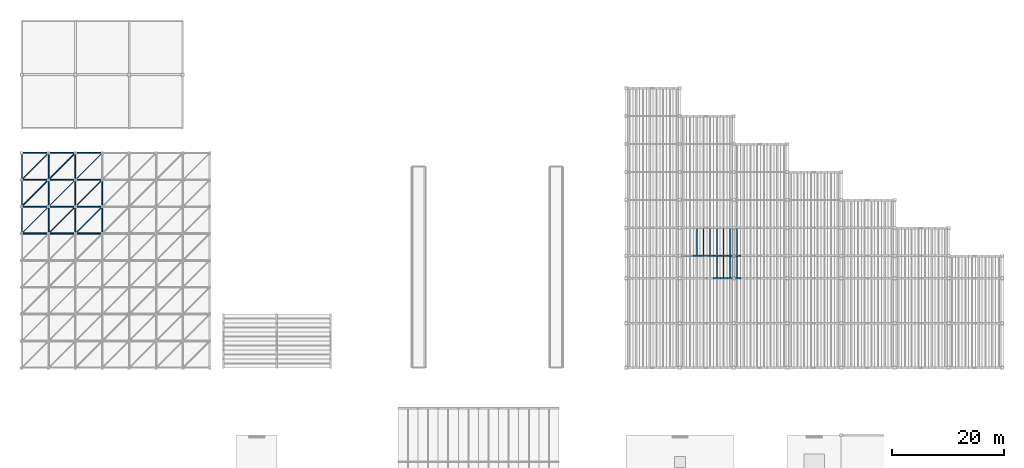
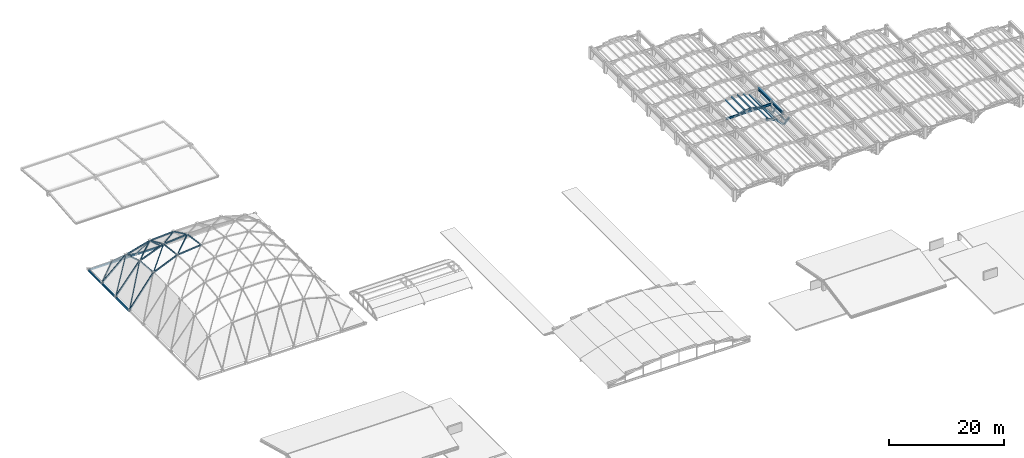
# One storey, part 18 of 70: 48 members, 9 beams.
"""IFC4 building model written with IfcOpenShell, lengths in metres."""

from ifc_helpers import new_model, si_unit, direction, frame, origin, origin_2d, place, context, subcontext, project, spatial, hollow_rectangle, hollow_circle, i_section, extrude, material, material_profile, profile_set, type_object, element, save


model = new_model("IFC4")

# Units and contexts
model_context = context("Model", 3, precision=1e-05, world=origin(), true_north=direction((0.0, 1.0)))
body_context = subcontext(model_context, "Body", "Model", "MODEL_VIEW")
ifc_project = project(units=[si_unit("LENGTHUNIT", "METRE"), si_unit("AREAUNIT", "SQUARE_METRE"), si_unit("VOLUMEUNIT", "CUBIC_METRE"), si_unit("PLANEANGLEUNIT", "RADIAN"), si_unit("MASSUNIT", "GRAM", prefix="KILO")], contexts=[model_context])

# Site, building, storey
site_placement = place(None, origin())
site = spatial("IfcSite", under=ifc_project, at=site_placement, CompositionType="ELEMENT")
building_placement = place(site_placement, origin())
building = spatial("IfcBuilding", under=site, at=building_placement, Name="Mavantir Sound Aquarium", CompositionType="ELEMENT")
storey_placement = place(building_placement, frame((0.0, 0.0, 27.0)))
storey = spatial("IfcBuildingStorey", under=building, at=storey_placement, Name="RF", CompositionType="ELEMENT", Elevation=27.0)

# Beams
ifc_material_1 = material(Name="Hollow Structural Steel ASTM A500 GrC", Category="steel")
ifc_material_profile_1 = material_profile(ifc_material_1, hollow_rectangle(XDim=0.25, YDim=0.35009765625, WallThickness=0.012451171875, InnerFilletRadius=0.012451171875, OuterFilletRadius=0.02490234375, at=origin_2d()), Name="RHS 350X250X12.5")
ifc_profile_set_1 = profile_set([ifc_material_profile_1], Name="Hollow Structural Steel ASTM A500 GrC")
beam_type_1 = type_object("IfcBeamType", Name="BM-RB-RHS350-E", PredefinedType="BEAM", material=ifc_profile_set_1)
for number, where, z_axis, x_axis, name in (
    (1, (0.0, 79.199951171875, -7.419921875), (0.999991302772, 0.0, 0.004170656977), (0.0, 1.0, 0.0), "Gridshell perimeter ring beam RB-02 2"),
    (2, (4.800048828125, 79.199951171875, -7.419921875), (0.999991302772, 0.0, 0.004170656977), (0.0, 1.0, 0.0), "Gridshell perimeter ring beam RB-02 4"),
):
    element("IfcBeam", number, at=place(storey_placement, frame(where, z_axis=z_axis, x_axis=x_axis)), inside=storey, type_object=beam_type_1, Name=name, PredefinedType="BEAM", context=body_context, shape_type="SweptSolid", body=[
        extrude(hollow_rectangle(XDim=0.25, YDim=0.35009765625, WallThickness=0.012451171875, InnerFilletRadius=0.012451171875, OuterFilletRadius=0.02490234375, at=origin_2d()), origin(), (0.0, 0.0, 1.0), 4.800048828125),
    ])
beam_1_placement = place(storey_placement, frame((9.60009765625, 79.199951171875, -7.419921875), z_axis=(0.999991301888, 0.0, 0.004170869113), x_axis=(0.0, 1.0, 0.0)))
element("IfcBeam", 3, at=beam_1_placement, inside=storey, type_object=beam_type_1, Name="Gridshell perimeter ring beam RB-02 6", PredefinedType="BEAM", context=body_context, shape_type="SweptSolid", body=[
    extrude(hollow_rectangle(XDim=0.25, YDim=0.35009765625, WallThickness=0.012451171875, InnerFilletRadius=0.012451171875, OuterFilletRadius=0.02490234375, at=origin_2d()), origin(), (0.0, 0.0, 1.0), 4.7998046875),
])
beam_2_placement = place(storey_placement, frame((0.0, 64.800048828125, -7.419921875), z_axis=(0.0, 0.999991302772, 0.004170656977), x_axis=(-1.0, 0.0, 0.0)))
element("IfcBeam", 4, at=beam_2_placement, inside=storey, type_object=beam_type_1, Name="Gridshell perimeter ring beam RB-02 25", PredefinedType="BEAM", context=body_context, shape_type="SweptSolid", body=[
    extrude(hollow_rectangle(XDim=0.25, YDim=0.35009765625, WallThickness=0.012451171875, InnerFilletRadius=0.012451171875, OuterFilletRadius=0.02490234375, at=origin_2d()), origin(), (0.0, 0.0, 1.0), 4.800048828125),
])
beam_3_placement = place(storey_placement, frame((0.0, 69.60009765625, -7.419921875), z_axis=(0.0, 0.999991301888, 0.004170869113), x_axis=(-1.0, 0.0, 0.0)))
element("IfcBeam", 5, at=beam_3_placement, inside=storey, type_object=beam_type_1, Name="Gridshell perimeter ring beam RB-02 27", PredefinedType="BEAM", context=body_context, shape_type="SweptSolid", body=[
    extrude(hollow_rectangle(XDim=0.25, YDim=0.35009765625, WallThickness=0.012451171875, InnerFilletRadius=0.012451171875, OuterFilletRadius=0.02490234375, at=origin_2d()), origin(), (0.0, 0.0, 1.0), 4.7998046875),
])
beam_4_placement = place(storey_placement, frame((0.0, 74.39990234375, -7.419921875), z_axis=(0.0, 0.999991302772, 0.004170656977), x_axis=(-1.0, 0.0, 0.0)))
element("IfcBeam", 6, at=beam_4_placement, inside=storey, type_object=beam_type_1, Name="Gridshell perimeter ring beam RB-02 29", PredefinedType="BEAM", context=body_context, shape_type="SweptSolid", body=[
    extrude(hollow_rectangle(XDim=0.25, YDim=0.35009765625, WallThickness=0.012451171875, InnerFilletRadius=0.012451171875, OuterFilletRadius=0.02490234375, at=origin_2d()), origin(), (0.0, 0.0, 1.0), 4.800048828125),
])
ifc_material_2 = material(Name="Structural Steel ASTM A992 Gr50", Category="steel")
ifc_material_profile_2 = material_profile(ifc_material_2, i_section(OverallWidth=0.194091796875, OverallDepth=0.468994140625, WebThickness=0.0126953125, FlangeThickness=0.0205078125, FilletRadius=0.01611328125, at=origin_2d()), Name="W460X106")
ifc_profile_set_2 = profile_set([ifc_material_profile_2], Name="Structural Steel ASTM A992 Gr50")
beam_type_2 = type_object("IfcBeamType", Name="BM-W460X106-I", PredefinedType="BEAM", material=ifc_profile_set_2)
beam_5_placement = place(storey_placement, frame((117.85009765625, 60.800048828125, -5.327392578125), z_axis=(1.0, 0.0, 0.0), x_axis=(0.0, 1.0, 0.0)))
element("IfcBeam", 7, at=beam_5_placement, inside=storey, type_object=beam_type_2, Name="Scalloped bay 2 transverse tie girder 131", PredefinedType="BEAM", context=body_context, shape_type="SweptSolid", body=[
    extrude(i_section(OverallWidth=0.194091796875, OverallDepth=0.468994140625, WebThickness=0.0126953125, FlangeThickness=0.0205078125, FilletRadius=0.01611328125, at=origin_2d()), origin(), (0.0, 0.0, 1.0), 9.099853515625),
])
ifc_material_profile_3 = material_profile(ifc_material_2, i_section(OverallWidth=0.323974609375, OverallDepth=0.611083984375, WebThickness=0.0126953125, FlangeThickness=0.01904296875, FilletRadius=0.01904296875, at=origin_2d()), Name="W610X155")
ifc_profile_set_3 = profile_set([ifc_material_profile_3], Name="Structural Steel ASTM A992 Gr50")
beam_type_3 = type_object("IfcBeamType", Name="BM-W610X155-E", PredefinedType="BEAM", material=ifc_profile_set_3)
beam_6_placement = place(storey_placement, frame((127.199951171875, 56.800048828125, -5.0048828125), z_axis=(0.0, 1.0, 0.0), x_axis=(-1.0, 0.0, 0.0)))
element("IfcBeam", 8, at=beam_6_placement, inside=storey, type_object=beam_type_3, Name="Scalloped roof straight ridge beam 21", PredefinedType="BEAM", context=body_context, shape_type="SweptSolid", body=[
    extrude(i_section(OverallWidth=0.323974609375, OverallDepth=0.611083984375, WebThickness=0.0126953125, FlangeThickness=0.01904296875, FilletRadius=0.01904296875, at=origin_2d()), origin(), (0.0, 0.0, 1.0), 4.0),
])
beam_7_placement = place(storey_placement, frame((127.199951171875, 60.800048828125, -5.0048828125), z_axis=(0.0, 1.0, 0.0), x_axis=(-1.0, 0.0, 0.0)))
element("IfcBeam", 9, at=beam_7_placement, inside=storey, type_object=beam_type_3, Name="Scalloped roof straight ridge beam 22", PredefinedType="BEAM", context=body_context, shape_type="SweptSolid", body=[
    extrude(i_section(OverallWidth=0.323974609375, OverallDepth=0.611083984375, WebThickness=0.0126953125, FlangeThickness=0.01904296875, FilletRadius=0.01904296875, at=origin_2d()), origin(), (0.0, 0.0, 1.0), 5.0),
])

# Members
ifc_material_profile_4 = material_profile(ifc_material_1, hollow_circle(Radius=0.084228515625, WallThickness=0.008056640625, at=origin_2d()), Name="CHS 168.3X8")
ifc_profile_set_4 = profile_set([ifc_material_profile_4], Name="Hollow Structural Steel ASTM A500 GrC")
member_type_1 = type_object("IfcMemberType", Name="MEM-GS-CH168", PredefinedType="BRACE", material=ifc_profile_set_4)
member_1_placement = place(storey_placement, frame((0.0, 64.800048828125, -7.199951171875), z_axis=(0.534310446833, 0.534310446833, 0.654999765504), x_axis=(-0.707106781187, 0.707106781187, 0.0)))
element("IfcMember", 10, at=member_1_placement, inside=storey, type_object=member_type_1, Name="Gridshell diagonal brace 6", PredefinedType="BRACE", context=body_context, shape_type="SweptSolid", body=[
    extrude(hollow_circle(Radius=0.084228515625, WallThickness=0.008056640625, at=origin_2d()), origin(), (0.0, 0.0, 1.0), 8.983642578125),
])
member_2_placement = place(storey_placement, frame((0.0, 74.39990234375, -7.199951171875), z_axis=(0.707106781187, 0.707106781187, 0.0), x_axis=(-0.707106781187, 0.707106781187, 0.0)))
element("IfcMember", 11, at=member_2_placement, inside=storey, type_object=member_type_1, Name="Gridshell diagonal brace 8", PredefinedType="BRACE", context=body_context, shape_type="SweptSolid", body=[
    extrude(hollow_circle(Radius=0.084228515625, WallThickness=0.008056640625, at=origin_2d()), origin(), (0.0, 0.0, 1.0), 6.788330078125),
])
member_3_placement = place(storey_placement, frame((4.800048828125, 69.60009765625, -1.315673828125), z_axis=(0.70655176358, 0.706515826865, -0.040249121368), x_axis=(-0.707088798028, 0.707124763888, 0.0)))
element("IfcMember", 12, at=member_3_placement, inside=storey, type_object=member_type_1, Name="Gridshell diagonal brace 15", PredefinedType="BRACE", context=body_context, shape_type="SweptSolid", body=[
    extrude(hollow_circle(Radius=0.084228515625, WallThickness=0.008056640625, at=origin_2d()), origin(), (0.0, 0.0, 1.0), 6.793701171875),
])
member_4_placement = place(storey_placement, frame((9.60009765625, 64.800048828125, 1.17431640625), z_axis=(0.706748442521, 0.706784391069, -0.031023596434), x_axis=(-0.707124763888, 0.707088798028, 0.0)))
element("IfcMember", 13, at=member_4_placement, inside=storey, type_object=member_type_1, Name="Gridshell diagonal brace 22", PredefinedType="BRACE", context=body_context, shape_type="SweptSolid", body=[
    extrude(hollow_circle(Radius=0.084228515625, WallThickness=0.008056640625, at=origin_2d()), origin(), (0.0, 0.0, 1.0), 6.79150390625),
])
member_5_placement = place(storey_placement, frame((9.60009765625, 74.39990234375, -1.589111328125), z_axis=(0.545009830995, 0.545037552757, -0.637101522682), x_axis=(-0.707124763888, 0.707088798028, 0.0)))
element("IfcMember", 14, at=member_5_placement, inside=storey, type_object=member_type_1, Name="Gridshell diagonal brace 24", PredefinedType="BRACE", context=body_context, shape_type="SweptSolid", body=[
    extrude(hollow_circle(Radius=0.084228515625, WallThickness=0.008056640625, at=origin_2d()), origin(), (0.0, 0.0, 1.0), 8.806884765625),
])
ifc_material_profile_5 = material_profile(ifc_material_1, hollow_circle(Radius=0.109619140625, WallThickness=0.010009765625, at=origin_2d()), Name="CHS 219.1X10")
ifc_profile_set_5 = profile_set([ifc_material_profile_5], Name="Hollow Structural Steel ASTM A500 GrC")
member_type_2 = type_object("IfcMemberType", Name="MEM-GS-CH219", PredefinedType="BRACE", material=ifc_profile_set_5)
member_6_placement = place(storey_placement, frame((0.0, 69.60009765625, -7.199951171875), z_axis=(0.598899727573, 0.598869266268, 0.531671626319), x_axis=(-0.707088798028, 0.707124763888, 0.0)))
element("IfcMember", 15, at=member_6_placement, inside=storey, type_object=member_type_2, Name="Gridshell diagonal brace 7", PredefinedType="BRACE", context=body_context, shape_type="SweptSolid", body=[
    extrude(hollow_circle(Radius=0.109619140625, WallThickness=0.010009765625, at=origin_2d()), origin(), (0.0, 0.0, 1.0), 8.014892578125),
])
member_7_placement = place(storey_placement, frame((4.800048828125, 64.800048828125, -0.8916015625), z_axis=(0.691140600097, 0.691140600097, 0.21130390861), x_axis=(-0.707106781187, 0.707106781187, 0.0)))
element("IfcMember", 16, at=member_7_placement, inside=storey, type_object=member_type_2, Name="Gridshell diagonal brace 14", PredefinedType="BRACE", context=body_context, shape_type="SweptSolid", body=[
    extrude(hollow_circle(Radius=0.109619140625, WallThickness=0.010009765625, at=origin_2d()), origin(), (0.0, 0.0, 1.0), 6.945068359375),
])
member_8_placement = place(storey_placement, frame((4.800048828125, 74.39990234375, -2.938720703125), z_axis=(0.598888802262, 0.598888802262, -0.531661927404), x_axis=(-0.707106781187, 0.707106781187, 0.0)))
element("IfcMember", 17, at=member_8_placement, inside=storey, type_object=member_type_2, Name="Gridshell diagonal brace 16", PredefinedType="BRACE", context=body_context, shape_type="SweptSolid", body=[
    extrude(hollow_circle(Radius=0.109619140625, WallThickness=0.010009765625, at=origin_2d()), origin(), (0.0, 0.0, 1.0), 8.014892578125),
])
member_9_placement = place(storey_placement, frame((9.60009765625, 69.60009765625, 0.575927734375), z_axis=(0.680631359459, 0.680631359459, -0.271075460049), x_axis=(-0.707106781187, 0.707106781187, 0.0)))
element("IfcMember", 18, at=member_9_placement, inside=storey, type_object=member_type_2, Name="Gridshell diagonal brace 23", PredefinedType="BRACE", context=body_context, shape_type="SweptSolid", body=[
    extrude(hollow_circle(Radius=0.109619140625, WallThickness=0.010009765625, at=origin_2d()), origin(), (0.0, 0.0, 1.0), 7.052001953125),
])
ifc_material_profile_6 = material_profile(ifc_material_1, hollow_circle(Radius=0.136474609375, WallThickness=0.010009765625, at=origin_2d()), Name="CHS 273X10")
ifc_profile_set_6 = profile_set([ifc_material_profile_6], Name="Hollow Structural Steel ASTM A500 GrC")
member_type_3 = type_object("IfcMemberType", Name="MEM-GS-CH273", PredefinedType="CHORD", material=ifc_profile_set_6)
member_10_placement = place(storey_placement, frame((4.800048828125, 64.800048828125, -0.8916015625), z_axis=(0.0, 0.996120058811, -0.088004706889), x_axis=(-1.0, 0.0, 0.0)))
element("IfcMember", 19, at=member_10_placement, inside=storey, type_object=member_type_3, Name="Roof truss gridshell meridional chord 55", PredefinedType="CHORD", context=body_context, shape_type="SweptSolid", body=[
    extrude(hollow_circle(Radius=0.136474609375, WallThickness=0.010009765625, at=origin_2d()), origin(), (0.0, 0.0, 1.0), 4.81884765625),
])
member_11_placement = place(storey_placement, frame((4.800048828125, 69.60009765625, -1.315673828125), z_axis=(0.0, 0.947305977448, -0.320330118926), x_axis=(-1.0, 0.0, 0.0)))
element("IfcMember", 20, at=member_11_placement, inside=storey, type_object=member_type_3, Name="Roof truss gridshell meridional chord 56", PredefinedType="CHORD", context=body_context, shape_type="SweptSolid", body=[
    extrude(hollow_circle(Radius=0.136474609375, WallThickness=0.010009765625, at=origin_2d()), origin(), (0.0, 0.0, 1.0), 5.06689453125),
])
member_12_placement = place(storey_placement, frame((4.800048828125, 74.39990234375, -2.938720703125), z_axis=(0.0, 0.747833075326, -0.663886806202), x_axis=(-1.0, 0.0, 0.0)))
element("IfcMember", 21, at=member_12_placement, inside=storey, type_object=member_type_3, Name="Roof truss gridshell meridional chord 57", PredefinedType="CHORD", context=body_context, shape_type="SweptSolid", body=[
    extrude(hollow_circle(Radius=0.136474609375, WallThickness=0.010009765625, at=origin_2d()), origin(), (0.0, 0.0, 1.0), 6.418701171875),
])
member_13_placement = place(storey_placement, frame((9.60009765625, 64.800048828125, 1.17431640625), z_axis=(0.0, 0.992318975731, -0.123705498678), x_axis=(-1.0, 0.0, 0.0)))
element("IfcMember", 22, at=member_13_placement, inside=storey, type_object=member_type_3, Name="Roof truss gridshell meridional chord 63", PredefinedType="CHORD", context=body_context, shape_type="SweptSolid", body=[
    extrude(hollow_circle(Radius=0.136474609375, WallThickness=0.010009765625, at=origin_2d()), origin(), (0.0, 0.0, 1.0), 4.837158203125),
])
member_14_placement = place(storey_placement, frame((9.60009765625, 69.60009765625, 0.575927734375), z_axis=(0.0, 0.911556772066, -0.411174234724), x_axis=(-1.0, 0.0, 0.0)))
element("IfcMember", 23, at=member_14_placement, inside=storey, type_object=member_type_3, Name="Roof truss gridshell meridional chord 64", PredefinedType="CHORD", context=body_context, shape_type="SweptSolid", body=[
    extrude(hollow_circle(Radius=0.136474609375, WallThickness=0.010009765625, at=origin_2d()), origin(), (0.0, 0.0, 1.0), 5.265380859375),
])
member_15_placement = place(storey_placement, frame((9.60009765625, 74.39990234375, -1.589111328125), z_axis=(0.0, 0.650069508377, -0.759874749073), x_axis=(-1.0, 0.0, 0.0)))
element("IfcMember", 24, at=member_15_placement, inside=storey, type_object=member_type_3, Name="Roof truss gridshell meridional chord 65", PredefinedType="CHORD", context=body_context, shape_type="SweptSolid", body=[
    extrude(hollow_circle(Radius=0.136474609375, WallThickness=0.010009765625, at=origin_2d()), origin(), (0.0, 0.0, 1.0), 7.3837890625),
])
member_16_placement = place(storey_placement, frame((14.39990234375, 64.800048828125, 1.642578125), z_axis=(0.0, 0.990143948681, -0.14005342156), x_axis=(-1.0, 0.0, 0.0)))
element("IfcMember", 25, at=member_16_placement, inside=storey, type_object=member_type_3, Name="Roof truss gridshell meridional chord 71", PredefinedType="CHORD", context=body_context, shape_type="SweptSolid", body=[
    extrude(hollow_circle(Radius=0.136474609375, WallThickness=0.010009765625, at=origin_2d()), origin(), (0.0, 0.0, 1.0), 4.847900390625),
])
member_17_placement = place(storey_placement, frame((14.39990234375, 69.60009765625, 0.963623046875), z_axis=(0.0, 0.901859225286, -0.432030019519), x_axis=(-1.0, 0.0, 0.0)))
element("IfcMember", 26, at=member_17_placement, inside=storey, type_object=member_type_3, Name="Roof truss gridshell meridional chord 72", PredefinedType="CHORD", context=body_context, shape_type="SweptSolid", body=[
    extrude(hollow_circle(Radius=0.136474609375, WallThickness=0.010009765625, at=origin_2d()), origin(), (0.0, 0.0, 1.0), 5.322021484375),
])
ifc_material_profile_7 = material_profile(ifc_material_1, hollow_circle(Radius=0.161865234375, WallThickness=0.012451171875, at=origin_2d()), Name="CHS 323.9X12.5")
ifc_profile_set_7 = profile_set([ifc_material_profile_7], Name="Hollow Structural Steel ASTM A500 GrC")
member_type_4 = type_object("IfcMemberType", Name="MEM-GS-CH324", PredefinedType="CHORD", material=ifc_profile_set_7)
member_18_placement = place(storey_placement, frame((0.0, 64.800048828125, -7.199951171875), z_axis=(0.605539218427, 0.0, 0.795815465385), x_axis=(0.0, 1.0, 0.0)))
element("IfcMember", 27, at=member_18_placement, inside=storey, type_object=member_type_4, Name="Roof truss gridshell longitudinal chord 29", PredefinedType="CHORD", context=body_context, shape_type="SweptSolid", body=[
    extrude(hollow_circle(Radius=0.161865234375, WallThickness=0.012451171875, at=origin_2d()), origin(), (0.0, 0.0, 1.0), 7.927001953125),
])
member_19_placement = place(storey_placement, frame((4.800048828125, 64.800048828125, -0.8916015625), z_axis=(0.918537402152, 0.0, 0.395334087636), x_axis=(0.0, 1.0, 0.0)))
element("IfcMember", 28, at=member_19_placement, inside=storey, type_object=member_type_4, Name="Roof truss gridshell longitudinal chord 30", PredefinedType="CHORD", context=body_context, shape_type="SweptSolid", body=[
    extrude(hollow_circle(Radius=0.161865234375, WallThickness=0.012451171875, at=origin_2d()), origin(), (0.0, 0.0, 1.0), 5.225830078125),
])
member_20_placement = place(storey_placement, frame((9.60009765625, 64.800048828125, 1.17431640625), z_axis=(0.995274872576, 0.0, 0.097097518088), x_axis=(0.0, 1.0, 0.0)))
element("IfcMember", 29, at=member_20_placement, inside=storey, type_object=member_type_4, Name="Roof truss gridshell longitudinal chord 31", PredefinedType="CHORD", context=body_context, shape_type="SweptSolid", body=[
    extrude(hollow_circle(Radius=0.161865234375, WallThickness=0.012451171875, at=origin_2d()), origin(), (0.0, 0.0, 1.0), 4.822509765625),
])
member_21_placement = place(storey_placement, frame((0.0, 69.60009765625, -7.199951171875), z_axis=(0.632104375827, 0.0, 0.774883254472), x_axis=(0.0, 1.0, 0.0)))
element("IfcMember", 30, at=member_21_placement, inside=storey, type_object=member_type_4, Name="Roof truss gridshell longitudinal chord 36", PredefinedType="CHORD", context=body_context, shape_type="SweptSolid", body=[
    extrude(hollow_circle(Radius=0.161865234375, WallThickness=0.012451171875, at=origin_2d()), origin(), (0.0, 0.0, 1.0), 7.59375),
])
member_22_placement = place(storey_placement, frame((4.800048828125, 69.60009765625, -1.315673828125), z_axis=(0.930363886848, 0.0, 0.366637474966), x_axis=(0.0, 1.0, 0.0)))
element("IfcMember", 31, at=member_22_placement, inside=storey, type_object=member_type_4, Name="Roof truss gridshell longitudinal chord 37", PredefinedType="CHORD", context=body_context, shape_type="SweptSolid", body=[
    extrude(hollow_circle(Radius=0.161865234375, WallThickness=0.012451171875, at=origin_2d()), origin(), (0.0, 0.0, 1.0), 5.159423828125),
])
member_23_placement = place(storey_placement, frame((9.60009765625, 69.60009765625, 0.575927734375), z_axis=(0.996753725793, 0.0, 0.080510931666), x_axis=(0.0, 1.0, 0.0)))
element("IfcMember", 32, at=member_23_placement, inside=storey, type_object=member_type_4, Name="Roof truss gridshell longitudinal chord 38", PredefinedType="CHORD", context=body_context, shape_type="SweptSolid", body=[
    extrude(hollow_circle(Radius=0.161865234375, WallThickness=0.012451171875, at=origin_2d()), origin(), (0.0, 0.0, 1.0), 4.8154296875),
])
member_24_placement = place(storey_placement, frame((0.0, 74.39990234375, -7.199951171875), z_axis=(0.747833075326, 0.0, 0.663886806202), x_axis=(0.0, 1.0, 0.0)))
element("IfcMember", 33, at=member_24_placement, inside=storey, type_object=member_type_4, Name="Roof truss gridshell longitudinal chord 43", PredefinedType="CHORD", context=body_context, shape_type="SweptSolid", body=[
    extrude(hollow_circle(Radius=0.161865234375, WallThickness=0.012451171875, at=origin_2d()), origin(), (0.0, 0.0, 1.0), 6.418701171875),
])
member_25_placement = place(storey_placement, frame((4.800048828125, 74.39990234375, -2.938720703125), z_axis=(0.962672073516, 0.0, 0.270670424821), x_axis=(0.0, 1.0, 0.0)))
element("IfcMember", 34, at=member_25_placement, inside=storey, type_object=member_type_4, Name="Roof truss gridshell longitudinal chord 44", PredefinedType="CHORD", context=body_context, shape_type="SweptSolid", body=[
    extrude(hollow_circle(Radius=0.161865234375, WallThickness=0.012451171875, at=origin_2d()), origin(), (0.0, 0.0, 1.0), 4.986083984375),
])
member_26_placement = place(storey_placement, frame((9.60009765625, 74.39990234375, -1.589111328125), z_axis=(0.998609116136, 0.0, 0.052724123222), x_axis=(0.0, 1.0, 0.0)))
element("IfcMember", 35, at=member_26_placement, inside=storey, type_object=member_type_4, Name="Roof truss gridshell longitudinal chord 45", PredefinedType="CHORD", context=body_context, shape_type="SweptSolid", body=[
    extrude(hollow_circle(Radius=0.161865234375, WallThickness=0.012451171875, at=origin_2d()), origin(), (0.0, 0.0, 1.0), 4.806396484375),
])
ifc_material_profile_8 = material_profile(ifc_material_2, i_section(OverallWidth=0.202880859375, OverallDepth=0.202880859375, WebThickness=0.007080078125, FlangeThickness=0.010986328125, FilletRadius=0.010009765625, at=origin_2d()), Name="W200X46")
ifc_profile_set_8 = profile_set([ifc_material_profile_8], Name="Structural Steel ASTM A992 Gr50")
member_type_5 = type_object("IfcMemberType", Name="MEM-TR-W200", PredefinedType="PURLIN", material=ifc_profile_set_8)
for number, where, z_axis, x_axis, name in (
    (36, (124.199951171875, 56.800048828125, -5.169921875), (0.0, 1.0, 0.0), (-1.0, 0.0, 0.0), "Scalloped bay 2 roof purlin 94"),
    (37, (126.60009765625, 56.800048828125, -6.881103515625), (0.0, 1.0, 0.0), (-1.0, 0.0, 0.0), "Scalloped bay 2 roof purlin 96"),
):
    element("IfcMember", number, at=place(storey_placement, frame(where, z_axis=z_axis, x_axis=x_axis)), inside=storey, type_object=member_type_5, Name=name, PredefinedType="PURLIN", context=body_context, shape_type="SweptSolid", body=[
        extrude(i_section(OverallWidth=0.202880859375, OverallDepth=0.202880859375, WebThickness=0.007080078125, FlangeThickness=0.010986328125, FilletRadius=0.010009765625, at=origin_2d()), origin(), (0.0, 0.0, 1.0), 4.0),
    ])
for number, where, z_axis, x_axis, name in (
    (38, (124.199951171875, 60.800048828125, -5.169921875), (0.0, 1.0, 0.0), (-1.0, 0.0, 0.0), "Scalloped bay 2 roof purlin 102"),
    (39, (126.60009765625, 60.800048828125, -6.881103515625), (0.0, 1.0, 0.0), (-1.0, 0.0, 0.0), "Scalloped bay 2 roof purlin 104"),
):
    element("IfcMember", number, at=place(storey_placement, frame(where, z_axis=z_axis, x_axis=x_axis)), inside=storey, type_object=member_type_5, Name=name, PredefinedType="PURLIN", context=body_context, shape_type="SweptSolid", body=[
        extrude(i_section(OverallWidth=0.202880859375, OverallDepth=0.202880859375, WebThickness=0.007080078125, FlangeThickness=0.010986328125, FilletRadius=0.010009765625, at=origin_2d()), origin(), (0.0, 0.0, 1.0), 5.0),
    ])
ifc_material_profile_9 = material_profile(ifc_material_2, i_section(OverallWidth=0.202880859375, OverallDepth=0.251953125, WebThickness=0.008056640625, FlangeThickness=0.013427734375, FilletRadius=0.011962890625, at=origin_2d()), Name="W250X58")
ifc_profile_set_9 = profile_set([ifc_material_profile_9], Name="Structural Steel ASTM A992 Gr50")
member_type_6 = type_object("IfcMemberType", Name="MEM-TR-W250", PredefinedType="PURLIN", material=ifc_profile_set_9)
member_27_placement = place(storey_placement, frame((125.39990234375, 56.800048828125, -5.804443359375), z_axis=(0.0, 1.0, 0.0), x_axis=(-1.0, 0.0, 0.0)))
element("IfcMember", 40, at=member_27_placement, inside=storey, type_object=member_type_6, Name="Scalloped bay 2 roof purlin 95", PredefinedType="PURLIN", context=body_context, shape_type="SweptSolid", body=[
    extrude(i_section(OverallWidth=0.202880859375, OverallDepth=0.251953125, WebThickness=0.008056640625, FlangeThickness=0.013427734375, FilletRadius=0.011962890625, at=origin_2d()), origin(), (0.0, 0.0, 1.0), 4.0),
])
for number, where, z_axis, x_axis, name in (
    (41, (120.60009765625, 60.800048828125, -5.194580078125), (0.0, 1.0, 0.0), (-1.0, 0.0, 0.0), "Scalloped bay 2 roof purlin 99"),
    (42, (125.39990234375, 60.800048828125, -5.804443359375), (0.0, 1.0, 0.0), (-1.0, 0.0, 0.0), "Scalloped bay 2 roof purlin 103"),
):
    element("IfcMember", number, at=place(storey_placement, frame(where, z_axis=z_axis, x_axis=x_axis)), inside=storey, type_object=member_type_6, Name=name, PredefinedType="PURLIN", context=body_context, shape_type="SweptSolid", body=[
        extrude(i_section(OverallWidth=0.202880859375, OverallDepth=0.251953125, WebThickness=0.008056640625, FlangeThickness=0.013427734375, FilletRadius=0.011962890625, at=origin_2d()), origin(), (0.0, 0.0, 1.0), 5.0),
    ])
member_28_placement = place(storey_placement, frame((127.800048828125, 56.800048828125, -6.90576171875), z_axis=(0.0, 1.0, 0.0), x_axis=(-1.0, 0.0, 0.0)))
element("IfcMember", 43, at=member_28_placement, inside=storey, type_object=member_type_6, Name="Scalloped bay 3 roof purlin 153", PredefinedType="PURLIN", context=body_context, shape_type="SweptSolid", body=[
    extrude(i_section(OverallWidth=0.202880859375, OverallDepth=0.251953125, WebThickness=0.008056640625, FlangeThickness=0.013427734375, FilletRadius=0.011962890625, at=origin_2d()), origin(), (0.0, 0.0, 1.0), 4.0),
])
member_29_placement = place(storey_placement, frame((127.800048828125, 60.800048828125, -6.90576171875), z_axis=(0.0, 1.0, 0.0), x_axis=(-1.0, 0.0, 0.0)))
element("IfcMember", 44, at=member_29_placement, inside=storey, type_object=member_type_6, Name="Scalloped bay 3 roof purlin 161", PredefinedType="PURLIN", context=body_context, shape_type="SweptSolid", body=[
    extrude(i_section(OverallWidth=0.202880859375, OverallDepth=0.251953125, WebThickness=0.008056640625, FlangeThickness=0.013427734375, FilletRadius=0.011962890625, at=origin_2d()), origin(), (0.0, 0.0, 1.0), 5.0),
])
ifc_material_profile_10 = material_profile(ifc_material_2, i_section(OverallWidth=0.205078125, OverallDepth=0.31005859375, WebThickness=0.009521484375, FlangeThickness=0.016357421875, FilletRadius=0.012939453125, at=origin_2d()), Name="W310X74")
ifc_profile_set_10 = profile_set([ifc_material_profile_10], Name="Structural Steel ASTM A992 Gr50")
member_type_7 = type_object("IfcMemberType", Name="MEM-TR-W310", PredefinedType="RAFTER", material=ifc_profile_set_10)
for number, where, z_axis, x_axis, name in (
    (45, (121.800048828125, 60.800048828125, -4.933837890625), (0.0, 1.0, 0.0), (-1.0, 0.0, 0.0), "Scalloped bay 2 roof purlin 100"),
    (46, (123.0, 60.800048828125, -4.933837890625), (0.0, 1.0, 0.0), (-1.0, 0.0, 0.0), "Scalloped bay 2 roof purlin 101"),
):
    element("IfcMember", number, at=place(storey_placement, frame(where, z_axis=z_axis, x_axis=x_axis)), inside=storey, type_object=member_type_7, Name=name, PredefinedType="RAFTER", context=body_context, shape_type="SweptSolid", body=[
        extrude(i_section(OverallWidth=0.205078125, OverallDepth=0.31005859375, WebThickness=0.009521484375, FlangeThickness=0.016357421875, FilletRadius=0.012939453125, at=origin_2d()), origin(), (0.0, 0.0, 1.0), 5.0),
    ])
ifc_material_profile_11 = material_profile(ifc_material_2, i_section(OverallWidth=0.25390625, OverallDepth=0.35302734375, WebThickness=0.009521484375, FlangeThickness=0.016357421875, FilletRadius=0.014892578125, at=origin_2d()), Name="W360X91")
ifc_profile_set_11 = profile_set([ifc_material_profile_11], Name="Structural Steel ASTM A992 Gr50")
member_type_8 = type_object("IfcMemberType", Name="MEM-TR-W360", PredefinedType="RAFTER", material=ifc_profile_set_11)
member_30_placement = place(storey_placement, frame((123.60009765625, 56.800048828125, -5.000732421875), z_axis=(0.951055396379, 0.0, -0.309020441102), x_axis=(0.0, 1.0, 0.0)))
element("IfcMember", 47, at=member_30_placement, inside=storey, type_object=member_type_8, Name="Scalloped bay 2 sagging-arc trough rib 128", PredefinedType="RAFTER", context=body_context, shape_type="SweptSolid", body=[
    extrude(i_section(OverallWidth=0.25390625, OverallDepth=0.35302734375, WebThickness=0.009521484375, FlangeThickness=0.016357421875, FilletRadius=0.014892578125, at=origin_2d()), origin(), (0.0, 0.0, 1.0), 1.26171875),
])
member_31_placement = place(storey_placement, frame((124.800048828125, 56.800048828125, -5.390625), z_axis=(0.856645937356, 0.0, -0.515904776109), x_axis=(0.0, 1.0, 0.0)))
element("IfcMember", 48, at=member_31_placement, inside=storey, type_object=member_type_8, Name="Scalloped bay 2 sagging-arc trough rib 129", PredefinedType="RAFTER", context=body_context, shape_type="SweptSolid", body=[
    extrude(i_section(OverallWidth=0.25390625, OverallDepth=0.35302734375, WebThickness=0.009521484375, FlangeThickness=0.016357421875, FilletRadius=0.014892578125, at=origin_2d()), origin(), (0.0, 0.0, 1.0), 1.400634765625),
])
member_32_placement = place(storey_placement, frame((126.0, 56.800048828125, -6.11328125), z_axis=(0.688727365252, 0.0, -0.725020424784), x_axis=(0.0, 1.0, 0.0)))
element("IfcMember", 49, at=member_32_placement, inside=storey, type_object=member_type_8, Name="Scalloped bay 2 sagging-arc trough rib 130", PredefinedType="RAFTER", context=body_context, shape_type="SweptSolid", body=[
    extrude(i_section(OverallWidth=0.25390625, OverallDepth=0.35302734375, WebThickness=0.009521484375, FlangeThickness=0.016357421875, FilletRadius=0.014892578125, at=origin_2d()), origin(), (0.0, 0.0, 1.0), 1.7421875),
])
member_33_placement = place(storey_placement, frame((120.0, 60.800048828125, -5.390625), z_axis=(0.951055396379, 0.0, 0.309020441102), x_axis=(0.0, 1.0, 0.0)))
element("IfcMember", 50, at=member_33_placement, inside=storey, type_object=member_type_8, Name="Scalloped bay 2 sagging-arc trough rib 134", PredefinedType="RAFTER", context=body_context, shape_type="SweptSolid", body=[
    extrude(i_section(OverallWidth=0.25390625, OverallDepth=0.35302734375, WebThickness=0.009521484375, FlangeThickness=0.016357421875, FilletRadius=0.014892578125, at=origin_2d()), origin(), (0.0, 0.0, 1.0), 1.26171875),
])
member_34_placement = place(storey_placement, frame((121.199951171875, 60.800048828125, -5.000732421875), z_axis=(0.994680359373, 0.0, 0.103009624196), x_axis=(0.0, 1.0, 0.0)))
element("IfcMember", 51, at=member_34_placement, inside=storey, type_object=member_type_8, Name="Scalloped bay 2 sagging-arc trough rib 135", PredefinedType="RAFTER", context=body_context, shape_type="SweptSolid", body=[
    extrude(i_section(OverallWidth=0.25390625, OverallDepth=0.35302734375, WebThickness=0.009521484375, FlangeThickness=0.016357421875, FilletRadius=0.014892578125, at=origin_2d()), origin(), (0.0, 0.0, 1.0), 1.206298828125),
])
member_35_placement = place(storey_placement, frame((122.39990234375, 60.800048828125, -4.87646484375), z_axis=(0.994682506138, 0.0, -0.102988892519), x_axis=(0.0, 1.0, 0.0)))
element("IfcMember", 52, at=member_35_placement, inside=storey, type_object=member_type_8, Name="Scalloped bay 2 sagging-arc trough rib 136", PredefinedType="RAFTER", context=body_context, shape_type="SweptSolid", body=[
    extrude(i_section(OverallWidth=0.25390625, OverallDepth=0.35302734375, WebThickness=0.009521484375, FlangeThickness=0.016357421875, FilletRadius=0.014892578125, at=origin_2d()), origin(), (0.0, 0.0, 1.0), 1.20654296875),
])
member_36_placement = place(storey_placement, frame((123.60009765625, 60.800048828125, -5.000732421875), z_axis=(0.951055396379, 0.0, -0.309020441102), x_axis=(0.0, 1.0, 0.0)))
element("IfcMember", 53, at=member_36_placement, inside=storey, type_object=member_type_8, Name="Scalloped bay 2 sagging-arc trough rib 138", PredefinedType="RAFTER", context=body_context, shape_type="SweptSolid", body=[
    extrude(i_section(OverallWidth=0.25390625, OverallDepth=0.35302734375, WebThickness=0.009521484375, FlangeThickness=0.016357421875, FilletRadius=0.014892578125, at=origin_2d()), origin(), (0.0, 0.0, 1.0), 1.26171875),
])
member_37_placement = place(storey_placement, frame((124.800048828125, 60.800048828125, -5.390625), z_axis=(0.856645937356, 0.0, -0.515904776109), x_axis=(0.0, 1.0, 0.0)))
element("IfcMember", 54, at=member_37_placement, inside=storey, type_object=member_type_8, Name="Scalloped bay 2 sagging-arc trough rib 139", PredefinedType="RAFTER", context=body_context, shape_type="SweptSolid", body=[
    extrude(i_section(OverallWidth=0.25390625, OverallDepth=0.35302734375, WebThickness=0.009521484375, FlangeThickness=0.016357421875, FilletRadius=0.014892578125, at=origin_2d()), origin(), (0.0, 0.0, 1.0), 1.400634765625),
])
for number, where, z_axis, x_axis, name in (
    (55, (126.0, 60.800048828125, -6.11328125), (0.688727365252, 0.0, -0.725020424784), (0.0, 1.0, 0.0), "Scalloped bay 2 sagging-arc trough rib 140"),
    (56, (127.199951171875, 56.800048828125, -7.37646484375), (0.688727365252, 0.0, 0.725020424784), (0.0, 1.0, 0.0), "Scalloped bay 3 sagging-arc trough rib 212"),
    (57, (127.199951171875, 60.800048828125, -7.37646484375), (0.688727365252, 0.0, 0.725020424784), (0.0, 1.0, 0.0), "Scalloped bay 3 sagging-arc trough rib 222"),
):
    element("IfcMember", number, at=place(storey_placement, frame(where, z_axis=z_axis, x_axis=x_axis)), inside=storey, type_object=member_type_8, Name=name, PredefinedType="RAFTER", context=body_context, shape_type="SweptSolid", body=[
        extrude(i_section(OverallWidth=0.25390625, OverallDepth=0.35302734375, WebThickness=0.009521484375, FlangeThickness=0.016357421875, FilletRadius=0.014892578125, at=origin_2d()), origin(), (0.0, 0.0, 1.0), 1.7421875),
    ])

save(model, "model.ifc")
